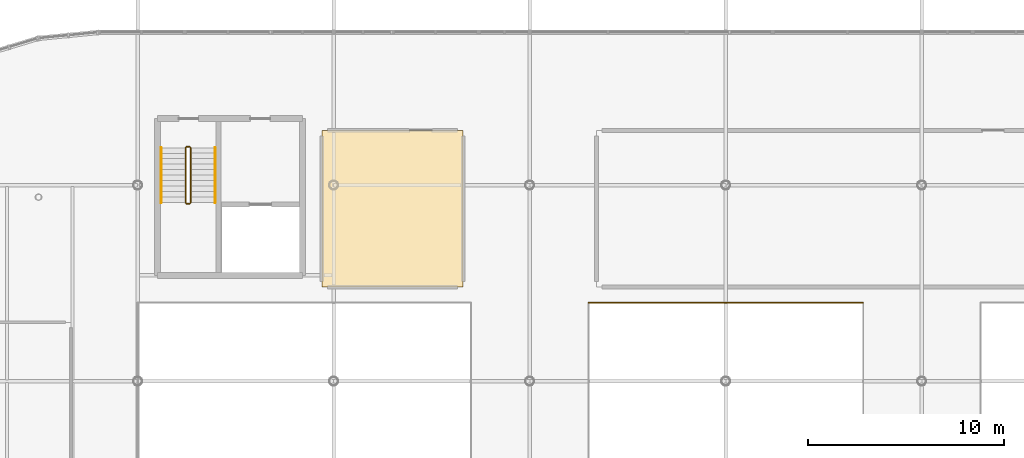
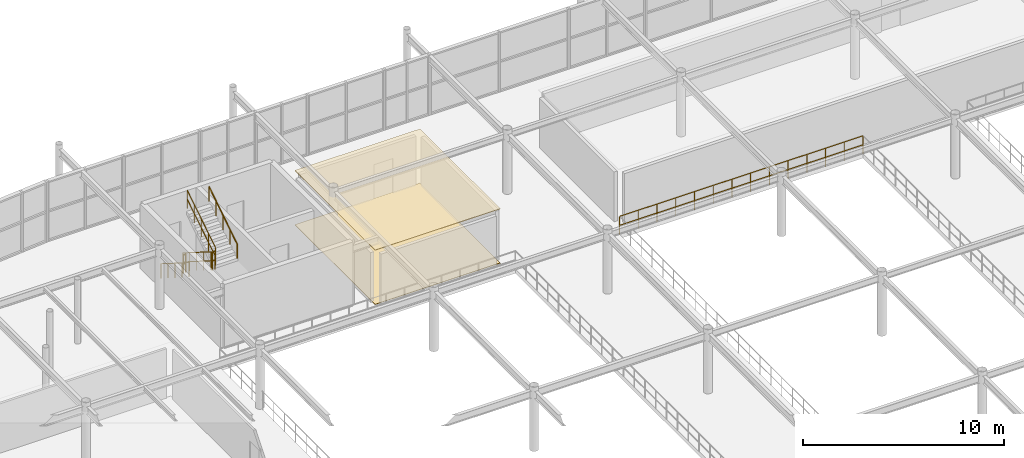
# One storey, part 91 of 98: 7 railings, 2 coverings.
"""IFC4 building model written with IfcOpenShell, lengths in metres."""

from ifc_helpers import new_model, si_unit, derived_unit, direction, frame, origin, origin_2d_with_axis, place, context, subcontext, project, spatial, polyline, circle, outline, extrude, material, layer, layer_set, type_object, element, save


model = new_model("IFC4")

# Units and contexts
model_context = context("Model", 3, precision=1e-05, world=origin(), true_north=direction((0.0, 1.0)))
body_context = subcontext(model_context, "Body", "Model", "MODEL_VIEW")
ifc_project = project(units=[si_unit("LENGTHUNIT", "METRE"), si_unit("AREAUNIT", "SQUARE_METRE"), si_unit("VOLUMEUNIT", "CUBIC_METRE"), si_unit("PLANEANGLEUNIT", "RADIAN"), si_unit("MASSUNIT", "GRAM", prefix="KILO"), derived_unit("THERMALTRANSMITTANCEUNIT", [(si_unit("POWERUNIT", "WATT"), 1), (si_unit("LENGTHUNIT", "METRE"), -2), (si_unit("THERMODYNAMICTEMPERATUREUNIT", "KELVIN"), -1)])], contexts=[model_context])

# Site, building, storey
site_placement = place(None, origin())
site = spatial("IfcSite", under=ifc_project, at=site_placement, CompositionType="ELEMENT")
building_placement = place(site_placement, origin())
building = spatial("IfcBuilding", under=site, at=building_placement, Name="Cinnabar Yard Market Hall", CompositionType="ELEMENT")
storey_placement = place(building_placement, frame((0.0, 0.0, 4.5)))
storey = spatial("IfcBuildingStorey", under=building, at=storey_placement, Name="L01", CompositionType="ELEMENT", Elevation=4.5)

# Coverings
ifc_material_1 = material(Name="Perforated acoustic spotted-gum timber slats", Category="wood")
ifc_layer_1 = layer(ifc_material_1, 0.0400390625)
ifc_layer_set_1 = layer_set([ifc_layer_1], Name="Perforated acoustic spotted-gum timber slats")
covering_type_1 = type_object("IfcCoveringType", Name="COV-CLG1", PredefinedType="CEILING", material=ifc_layer_set_1)
covering_1_placement = place(storey_placement, frame((0.0, 0.0, 3.2900390625)))
element("IfcCovering", 1, at=covering_1_placement, inside=storey, type_object=covering_type_1, Name="Ceiling North-West Mezzanine Craft Stall Gallery", PredefinedType="CEILING", context=body_context, shape_type="SweptSolid", body=[
    extrude(outline(polyline([(95.39990234375, 58.800048828125), (102.60009765625, 58.800048828125), (102.60009765625, 66.800048828125), (95.39990234375, 66.800048828125), (95.39990234375, 58.800048828125)])), origin(), (0.0, 0.0, 1.0), 0.034912109375),
])
ifc_material_2 = material(Name="Slip-resistant commercial quarry tile")
ifc_layer_2 = layer(ifc_material_2, 0.02490234375)
ifc_layer_set_2 = layer_set([ifc_layer_2], Name="Slip-resistant commercial quarry tile")
covering_type_2 = type_object("IfcCoveringType", Name="COV-FLR2", PredefinedType="FLOORING", material=ifc_layer_set_2)
covering_2_placement = place(storey_placement, origin())
element("IfcCovering", 2, at=covering_2_placement, inside=storey, type_object=covering_type_2, Name="Flooring North-West Mezzanine Craft Stall Gallery", PredefinedType="FLOORING", context=body_context, shape_type="SweptSolid", body=[
    extrude(outline(polyline([(95.39990234375, 58.800048828125), (102.60009765625, 58.800048828125), (102.60009765625, 66.800048828125), (95.39990234375, 66.800048828125), (95.39990234375, 58.800048828125)])), origin(), (0.0, 0.0, 1.0), 0.02490234375),
])

# Railings
ifc_material_3 = material(Name="Laminated glass and bronze handrail", Category="glass")
ifc_layer_3 = layer(ifc_material_3, 0.070068359375)
ifc_layer_set_3 = layer_set([ifc_layer_3], Name="Laminated glass and bronze handrail")
railing_type_1 = type_object("IfcRailingType", Name="RL-G01", PredefinedType="BALUSTRADE", material=ifc_layer_set_3)
railing_1_placement = place(storey_placement, frame((123.0, 58.0, 0.0)))
element("IfcRailing", 3, at=railing_1_placement, inside=storey, type_object=railing_type_1, Name="L01 Mezzanine Void 2 Balustrade 3", PredefinedType="BALUSTRADE", context=body_context, shape_type="SweptSolid", body=[
    extrude(circle(Radius=0.02392578125, at=origin_2d_with_axis()), frame((0.0, 0.0, 1.09619140625), z_axis=(-1.0, 0.0, 0.0), x_axis=(0.0, -1.0, 0.0)), (0.0, 0.0, 1.0), 14.0),
    extrude(circle(Radius=0.02392578125, at=origin_2d_with_axis()), frame((0.0, 0.0, 0.550048828125), z_axis=(-1.0, 0.0, 0.0), x_axis=(0.0, -1.0, 0.0)), (0.0, 0.0, 1.0), 14.0),
    extrude(circle(Radius=0.02099609375, at=origin_2d_with_axis()), origin(), (0.0, 0.0, 1.0), 1.072021484375),
    extrude(circle(Radius=0.02099609375, at=origin_2d_with_axis()), frame((-1.076904296875, 0.0, 0.0)), (0.0, 0.0, 1.0), 1.072021484375),
    extrude(circle(Radius=0.02099609375, at=origin_2d_with_axis()), frame((-2.15380859375, 0.0, 0.0)), (0.0, 0.0, 1.0), 1.072021484375),
    extrude(circle(Radius=0.02099609375, at=origin_2d_with_axis()), frame((-3.230712890625, 0.0, 0.0)), (0.0, 0.0, 1.0), 1.072021484375),
    extrude(circle(Radius=0.02099609375, at=origin_2d_with_axis()), frame((-4.3076171875, 0.0, 0.0)), (0.0, 0.0, 1.0), 1.072021484375),
    extrude(circle(Radius=0.02099609375, at=origin_2d_with_axis()), frame((-5.384521484375, 0.0, 0.0)), (0.0, 0.0, 1.0), 1.072021484375),
    extrude(circle(Radius=0.02099609375, at=origin_2d_with_axis()), frame((-6.46142578125, 0.0, 0.0)), (0.0, 0.0, 1.0), 1.072021484375),
    extrude(circle(Radius=0.02099609375, at=origin_2d_with_axis()), frame((-7.53857421875, 0.0, 0.0)), (0.0, 0.0, 1.0), 1.072021484375),
    extrude(circle(Radius=0.02099609375, at=origin_2d_with_axis()), frame((-8.615478515625, 0.0, 0.0)), (0.0, 0.0, 1.0), 1.072021484375),
    extrude(circle(Radius=0.02099609375, at=origin_2d_with_axis()), frame((-9.6923828125, 0.0, 0.0)), (0.0, 0.0, 1.0), 1.072021484375),
    extrude(circle(Radius=0.02099609375, at=origin_2d_with_axis()), frame((-10.769287109375, 0.0, 0.0)), (0.0, 0.0, 1.0), 1.072021484375),
    extrude(circle(Radius=0.02099609375, at=origin_2d_with_axis()), frame((-11.84619140625, 0.0, 0.0)), (0.0, 0.0, 1.0), 1.072021484375),
    extrude(circle(Radius=0.02099609375, at=origin_2d_with_axis()), frame((-12.923095703125, 0.0, 0.0)), (0.0, 0.0, 1.0), 1.072021484375),
    extrude(circle(Radius=0.02099609375, at=origin_2d_with_axis()), frame((-14.0, 0.0, 0.0)), (0.0, 0.0, 1.0), 1.072021484375),
])
ifc_material_4 = material(Name="Galvanised steel Grade 300 (300 MPa) guardrail", Category="steel")
ifc_layer_4 = layer(ifc_material_4, 0.06005859375)
ifc_layer_set_4 = layer_set([ifc_layer_4], Name="Galvanised steel Grade 300 (300 MPa) guardrail")
railing_type_2 = type_object("IfcRailingType", Name="RL-G03", PredefinedType="GUARDRAIL", material=ifc_layer_set_4)
railing_2_placement = place(storey_placement, frame((88.43994140625, 65.909912109375, 0.17724609375)))
element("IfcRailing", 4, at=railing_2_placement, inside=storey, type_object=railing_type_2, Name="L01 ST-C3 stair guard 1", PredefinedType="GUARDRAIL", context=body_context, shape_type="SweptSolid", body=[
    extrude(circle(Radius=0.02392578125, at=origin_2d_with_axis()), frame((0.0, 0.0, 1.09619140625), z_axis=(0.0, -0.844887892834, 0.53494340686), x_axis=(1.0, 0.0, 0.0)), (0.0, 0.0, 1.0), 3.313720703125),
    extrude(circle(Radius=0.02392578125, at=origin_2d_with_axis()), frame((0.0, 0.0, 0.550048828125), z_axis=(0.0, -0.844887892834, 0.53494340686), x_axis=(1.0, 0.0, 0.0)), (0.0, 0.0, 1.0), 3.313720703125),
    extrude(circle(Radius=0.02099609375, at=origin_2d_with_axis()), origin(), (0.0, 0.0, 1.0), 1.072021484375),
    extrude(circle(Radius=0.02099609375, at=origin_2d_with_axis()), frame((0.0, -0.699951171875, 0.443115234375)), (0.0, 0.0, 1.0), 1.072021484375),
    extrude(circle(Radius=0.02099609375, at=origin_2d_with_axis()), frame((0.0, -1.39990234375, 0.88623046875)), (0.0, 0.0, 1.0), 1.072021484375),
    extrude(circle(Radius=0.02099609375, at=origin_2d_with_axis()), frame((0.0, -2.099853515625, 1.32958984375)), (0.0, 0.0, 1.0), 1.072021484375),
    extrude(circle(Radius=0.02099609375, at=origin_2d_with_axis()), frame((0.0, -2.7998046875, 1.772705078125)), (0.0, 0.0, 1.0), 1.072021484375),
])
railing_3_placement = place(storey_placement, frame((88.489990234375, 63.06005859375, 1.949951171875)))
element("IfcRailing", 5, at=railing_3_placement, inside=storey, type_object=railing_type_2, Name="L01 ST-C3 stair guard 2", PredefinedType="GUARDRAIL", context=body_context, shape_type="SweptSolid", body=[
    extrude(circle(Radius=0.02392578125, at=origin_2d_with_axis()), frame((0.0, 0.0, 1.09619140625), z_axis=(1.0, 0.0, 0.0), x_axis=(0.0, 1.0, 0.0)), (0.0, 0.0, 1.0), 0.159912109375),
    extrude(circle(Radius=0.02392578125, at=origin_2d_with_axis()), frame((0.0, 0.0, 0.550048828125), z_axis=(1.0, 0.0, 0.0), x_axis=(0.0, 1.0, 0.0)), (0.0, 0.0, 1.0), 0.159912109375),
    extrude(circle(Radius=0.02099609375, at=origin_2d_with_axis()), origin(), (0.0, 0.0, 1.0), 1.072021484375),
    extrude(circle(Radius=0.02099609375, at=origin_2d_with_axis()), frame((0.159912109375, 0.0, 0.0)), (0.0, 0.0, 1.0), 1.072021484375),
])
railing_4_placement = place(storey_placement, frame((88.699951171875, 63.110107421875, 2.127197265625)))
element("IfcRailing", 6, at=railing_4_placement, inside=storey, type_object=railing_type_2, Name="L01 ST-C3 stair guard 3", PredefinedType="GUARDRAIL", context=body_context, shape_type="SweptSolid", body=[
    extrude(circle(Radius=0.02392578125, at=origin_2d_with_axis()), frame((0.0, 0.0, 1.09619140625), z_axis=(0.0, 0.844887892834, 0.53494340686), x_axis=(-1.0, 0.0, 0.0)), (0.0, 0.0, 1.0), 3.313720703125),
    extrude(circle(Radius=0.02392578125, at=origin_2d_with_axis()), frame((0.0, 0.0, 0.550048828125), z_axis=(0.0, 0.844887892834, 0.53494340686), x_axis=(-1.0, 0.0, 0.0)), (0.0, 0.0, 1.0), 3.313720703125),
    extrude(circle(Radius=0.02099609375, at=origin_2d_with_axis()), origin(), (0.0, 0.0, 1.0), 1.072021484375),
    extrude(circle(Radius=0.02099609375, at=origin_2d_with_axis()), frame((0.0, 0.699951171875, 0.443115234375)), (0.0, 0.0, 1.0), 1.072021484375),
    extrude(circle(Radius=0.02099609375, at=origin_2d_with_axis()), frame((0.0, 1.39990234375, 0.88623046875)), (0.0, 0.0, 1.0), 1.072021484375),
    extrude(circle(Radius=0.02099609375, at=origin_2d_with_axis()), frame((0.0, 2.099853515625, 1.32958984375)), (0.0, 0.0, 1.0), 1.072021484375),
    extrude(circle(Radius=0.02099609375, at=origin_2d_with_axis()), frame((0.0, 2.7998046875, 1.772705078125)), (0.0, 0.0, 1.0), 1.072021484375),
])
railing_5_placement = place(storey_placement, frame((88.489990234375, 65.9599609375, 0.0)))
element("IfcRailing", 7, at=railing_5_placement, inside=storey, type_object=railing_type_2, Name="L01 ST-C3 stair guard 4", PredefinedType="GUARDRAIL", context=body_context, shape_type="SweptSolid", body=[
    extrude(circle(Radius=0.02392578125, at=origin_2d_with_axis()), frame((0.0, 0.0, 1.09619140625), z_axis=(1.0, 0.0, 0.0), x_axis=(0.0, 1.0, 0.0)), (0.0, 0.0, 1.0), 0.159912109375),
    extrude(circle(Radius=0.02392578125, at=origin_2d_with_axis()), frame((0.0, 0.0, 0.550048828125), z_axis=(1.0, 0.0, 0.0), x_axis=(0.0, 1.0, 0.0)), (0.0, 0.0, 1.0), 0.159912109375),
    extrude(circle(Radius=0.02099609375, at=origin_2d_with_axis()), origin(), (0.0, 0.0, 1.0), 1.072021484375),
    extrude(circle(Radius=0.02099609375, at=origin_2d_with_axis()), frame((0.159912109375, 0.0, 0.0)), (0.0, 0.0, 1.0), 1.072021484375),
])
ifc_material_5 = material(Name="Brushed stainless steel handrail", Category="steel")
ifc_layer_5 = layer(ifc_material_5, 0.050048828125)
ifc_layer_set_5 = layer_set([ifc_layer_5], Name="Brushed stainless steel handrail")
railing_type_3 = type_object("IfcRailingType", Name="RL-HR1", PredefinedType="HANDRAIL", material=ifc_layer_set_5)
railing_6_placement = place(storey_placement, frame((87.18994140625, 65.909912109375, 0.17724609375)))
element("IfcRailing", 8, at=railing_6_placement, inside=storey, type_object=railing_type_3, Name="L01 ST-C3 stair handrail 1", PredefinedType="HANDRAIL", context=body_context, shape_type="SweptSolid", body=[
    extrude(circle(Radius=0.02392578125, at=origin_2d_with_axis()), frame((0.0, 0.0, 0.8759765625), z_axis=(0.0, -0.844887892834, 0.53494340686), x_axis=(1.0, 0.0, 0.0)), (0.0, 0.0, 1.0), 3.313720703125),
    extrude(circle(Radius=0.02099609375, at=origin_2d_with_axis()), origin(), (0.0, 0.0, 1.0), 0.851806640625),
    extrude(circle(Radius=0.02099609375, at=origin_2d_with_axis()), frame((0.0, -0.699951171875, 0.443115234375)), (0.0, 0.0, 1.0), 0.851806640625),
    extrude(circle(Radius=0.02099609375, at=origin_2d_with_axis()), frame((0.0, -1.39990234375, 0.88623046875)), (0.0, 0.0, 1.0), 0.851806640625),
    extrude(circle(Radius=0.02099609375, at=origin_2d_with_axis()), frame((0.0, -2.099853515625, 1.32958984375)), (0.0, 0.0, 1.0), 0.851806640625),
    extrude(circle(Radius=0.02099609375, at=origin_2d_with_axis()), frame((0.0, -2.7998046875, 1.772705078125)), (0.0, 0.0, 1.0), 0.851806640625),
])
railing_7_placement = place(storey_placement, frame((89.949951171875, 63.110107421875, 2.127197265625)))
element("IfcRailing", 9, at=railing_7_placement, inside=storey, type_object=railing_type_3, Name="L01 ST-C3 stair handrail 2", PredefinedType="HANDRAIL", context=body_context, shape_type="SweptSolid", body=[
    extrude(circle(Radius=0.02392578125, at=origin_2d_with_axis()), frame((0.0, 0.0, 0.8759765625), z_axis=(0.0, 0.844887892834, 0.53494340686), x_axis=(-1.0, 0.0, 0.0)), (0.0, 0.0, 1.0), 3.313720703125),
    extrude(circle(Radius=0.02099609375, at=origin_2d_with_axis()), origin(), (0.0, 0.0, 1.0), 0.851806640625),
    extrude(circle(Radius=0.02099609375, at=origin_2d_with_axis()), frame((0.0, 0.699951171875, 0.443115234375)), (0.0, 0.0, 1.0), 0.851806640625),
    extrude(circle(Radius=0.02099609375, at=origin_2d_with_axis()), frame((0.0, 1.39990234375, 0.88623046875)), (0.0, 0.0, 1.0), 0.851806640625),
    extrude(circle(Radius=0.02099609375, at=origin_2d_with_axis()), frame((0.0, 2.099853515625, 1.32958984375)), (0.0, 0.0, 1.0), 0.851806640625),
    extrude(circle(Radius=0.02099609375, at=origin_2d_with_axis()), frame((0.0, 2.7998046875, 1.772705078125)), (0.0, 0.0, 1.0), 0.851806640625),
])

save(model, "model.ifc")
